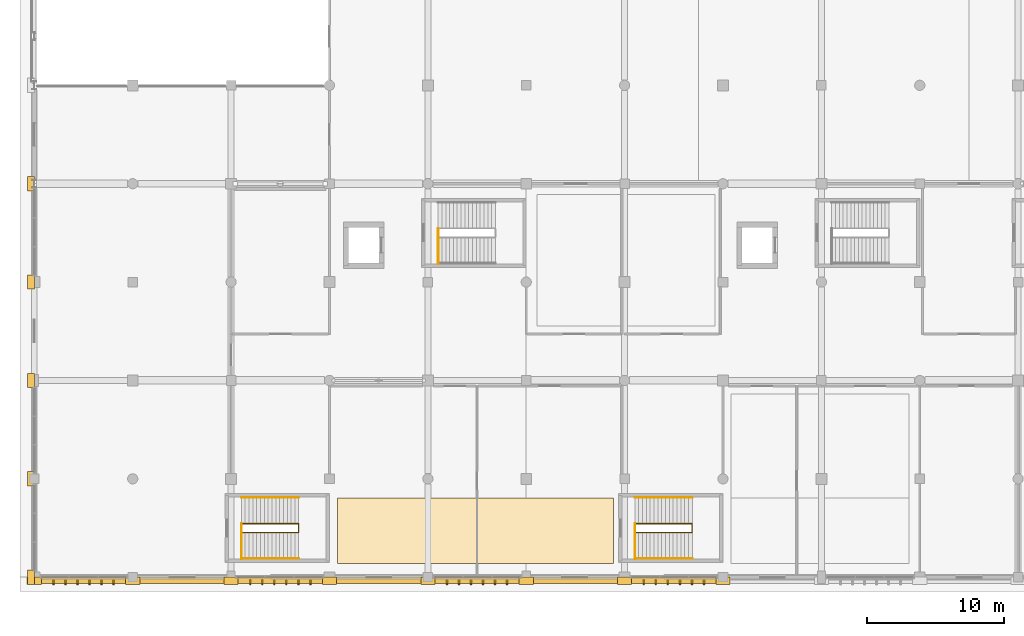
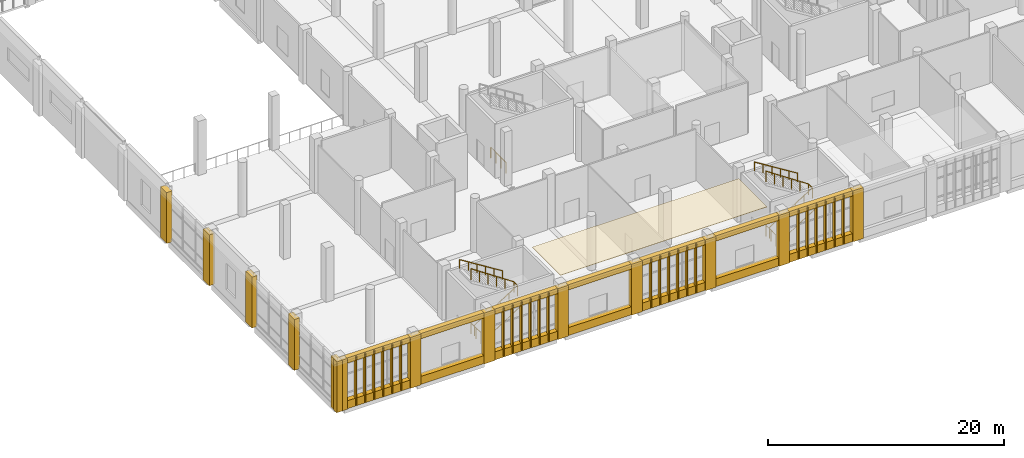
# One storey, part 64 of 80: 52 coverings, 9 railings.
"""IFC4 building model written with IfcOpenShell, lengths in metres."""

import ifcopenshell
import ifcopenshell.guid

model = None  # the IFC model being written
_history = None  # IfcOwnerHistory: only IFC2X3 demands one
_inside = {}  # id of a spatial element -> (the spatial element, [elements in it])
_under = {}  # id of a project, library or spatial element -> (it, [spatial elements below it])
_declared = {}  # id of a project -> (the project, [libraries it declares])
_typed = {}  # id of a type object -> (the type object, [elements of that type])
_made_of = {}  # id of a material, layer set ... -> (it, [elements and type objects made of it])


def new_model(schema):
    """Start an empty IFC model of exactly this schema.

    Asked for "IFC4X3", IfcOpenShell would pick the latest addendum, in which some entities
    have other attributes; the version numbers below select the first issue.
    IFC2X3 requires an IfcOwnerHistory on every rooted entity: one is made here for all.
    """
    global model, _history
    if schema == "IFC4X3":
        model = ifcopenshell.file(schema_version=(4, 3, 0, 0))
    else:
        model = ifcopenshell.file(schema=schema)
    _inside.clear()
    _under.clear()
    _declared.clear()
    _typed.clear()
    _made_of.clear()
    _history = None
    if model.schema == "IFC2X3":
        org = make("IfcOrganization", Name="unknown")
        user = make(
            "IfcPersonAndOrganization",
            ThePerson=make("IfcPerson", FamilyName="unknown"),
            TheOrganization=org,
        )
        app = make(
            "IfcApplication",
            ApplicationDeveloper=org,
            Version="unknown",
            ApplicationFullName="unknown",
            ApplicationIdentifier="unknown",
        )
        _history = make(
            "IfcOwnerHistory",
            OwningUser=user,
            OwningApplication=app,
            ChangeAction="ADDED",
            CreationDate=0,
        )
    return model


def make(cls, **values):
    """One entity of the class cls with the attributes given. An attribute that is None is left unset."""
    return model.create_entity(
        cls, **{name: value for name, value in values.items() if value is not None}
    )


def rooted(cls, **values):
    """An entity with a GlobalId (a new one), such as an element, a storey or a relation."""
    return make(cls, GlobalId=ifcopenshell.guid.new(), OwnerHistory=_history, **values)


def si_unit(unit_type, name, prefix=None):
    """IfcSIUnit, for example si_unit("LENGTHUNIT", "METRE", prefix="MILLI")."""
    return make("IfcSIUnit", UnitType=unit_type, Prefix=prefix, Name=name)


def assignment(units):
    """IfcUnitAssignment: the units of a project."""
    return None if units is None else make("IfcUnitAssignment", Units=units)


def point(xyz):
    """IfcCartesianPoint."""
    return None if xyz is None else make("IfcCartesianPoint", Coordinates=xyz)


def direction(xyz):
    """IfcDirection."""
    return None if xyz is None else make("IfcDirection", DirectionRatios=xyz)


def frame(location, z_axis=None, x_axis=None):
    """IfcAxis2Placement3D, a coordinate frame: its origin and axes. An axis left out is left unset."""
    return make(
        "IfcAxis2Placement3D",
        Location=point(location),
        Axis=direction(z_axis),
        RefDirection=direction(x_axis),
    )


def frame_2d(location, x_axis=None):
    """IfcAxis2Placement2D, a coordinate frame in the plane: its origin and x axis."""
    return make(
        "IfcAxis2Placement2D", Location=point(location), RefDirection=direction(x_axis)
    )


def origin():
    """The frame at (0, 0, 0) with its axes left unset."""
    return frame((0.0, 0.0, 0.0))


def origin_2d():
    """The frame at (0, 0) in the plane with its x axis left unset."""
    return frame_2d((0.0, 0.0))


def place(relative_to, where):
    """IfcLocalPlacement: puts the frame where relative to a parent placement (None: the world)."""
    return make(
        "IfcLocalPlacement", PlacementRelTo=relative_to, RelativePlacement=where
    )


def context(
    kind, dimensions, precision=None, world=None, true_north=None, identifier=None
):
    """IfcGeometricRepresentationContext, for example the 3D "Model" context."""
    return make(
        "IfcGeometricRepresentationContext",
        ContextIdentifier=identifier,
        ContextType=kind,
        CoordinateSpaceDimension=dimensions,
        Precision=precision,
        WorldCoordinateSystem=world,
        TrueNorth=true_north,
    )


def subcontext(parent, identifier, kind, view, scale=None):
    """IfcGeometricRepresentationSubContext, for example "Body" below "Model"."""
    return make(
        "IfcGeometricRepresentationSubContext",
        ContextIdentifier=identifier,
        ContextType=kind,
        ParentContext=parent,
        TargetScale=scale,
        TargetView=view,
    )


def project(units=None, contexts=None):
    """IfcProject with its units and contexts."""
    return rooted(
        "IfcProject",
        Name="project",
        RepresentationContexts=contexts,
        UnitsInContext=assignment(units),
    )


def spatial(cls, under=None, at=None, **own):
    """A site, building, storey or space (cls), placed at a placement, below another one or the project."""
    s = rooted(cls, ObjectPlacement=at, **own)
    if under is not None:
        _under.setdefault(under.id(), (under, []))[1].append(s)
    return s


def polyline(points):
    """IfcPolyline through the points."""
    return make("IfcPolyline", Points=[point(p) for p in points])


def profile(cls, at=None, kind="AREA", **sizes):
    """A parametric profile (cls). Its sizes go by their IFC names, for example OverallWidth=200.0."""
    return make(cls, ProfileType=kind, Position=at, **sizes)


def rectangle(**sizes):
    """IfcRectangleProfileDef."""
    return profile("IfcRectangleProfileDef", **sizes)


def circle(**sizes):
    """IfcCircleProfileDef."""
    return profile("IfcCircleProfileDef", **sizes)


def outline(outer, holes=None, kind="AREA"):
    """IfcArbitraryClosedProfileDef: a profile drawn as a closed curve; with holes, ...WithVoids."""
    if holes is None:
        return make("IfcArbitraryClosedProfileDef", ProfileType=kind, OuterCurve=outer)
    return make(
        "IfcArbitraryProfileDefWithVoids",
        ProfileType=kind,
        OuterCurve=outer,
        InnerCurves=holes,
    )


def extrude(swept, where, along, depth):
    """IfcExtrudedAreaSolid: the profile swept, set in the frame where, extruded along a direction by depth."""
    return make(
        "IfcExtrudedAreaSolid",
        SweptArea=swept,
        Position=where,
        ExtrudedDirection=direction(along),
        Depth=depth,
    )


def shape(context_of_items, identifier, shape_type, items):
    """IfcShapeRepresentation: the items that make up one representation, for example the "Body"."""
    return make(
        "IfcShapeRepresentation",
        ContextOfItems=context_of_items,
        RepresentationIdentifier=identifier,
        RepresentationType=shape_type,
        Items=items,
    )


def material(Name=None, Category=None):
    """IfcMaterial."""
    return make("IfcMaterial", Name=Name, Category=Category)


def layer(
    of_material, thickness, ventilated=None, Name=None, Category=None, Priority=None
):
    """IfcMaterialLayer: one layer of a wall or slab, of a material (None: an air gap)."""
    return make(
        "IfcMaterialLayer",
        Material=of_material,
        LayerThickness=thickness,
        IsVentilated=ventilated,
        Name=Name,
        Category=Category,
        Priority=Priority,
    )


def layer_set(layers, Name=None):
    """IfcMaterialLayerSet."""
    return make("IfcMaterialLayerSet", MaterialLayers=layers, LayerSetName=Name)


def made_of(thing, what):
    """Note that an element or type object is made of a material, layer set ...; save() writes the relation."""
    if what is not None:
        _made_of.setdefault(what.id(), (what, []))[1].append(thing)
    return thing


def type_object(cls, material=None, **own):
    """A type object (cls), such as IfcWallType, which elements share."""
    return made_of(rooted(cls, **own), material)


def element(
    cls,
    number,
    at=None,
    inside=None,
    cuts=None,
    type_object=None,
    material=None,
    context=None,
    identifier="Body",
    shape_type=None,
    held_by="IfcProductDefinitionShape",
    body=None,
    shapes=None,
    **own,
):
    """One element of the class cls, such as IfcWall. Its Tag is "e" and its number.

    at: its placement. inside: the storey or other place that contains it. cuts: it is an
    opening in that element (IfcRelVoidsElement). A single representation is given by context,
    identifier, shape_type and body (its items); several are given by shapes. held_by: the class
    of the entity that holds the representations. save() writes the other relations.
    """
    e = rooted(cls, Tag="e%d" % number, ObjectPlacement=at, **own)
    if body is not None:
        shapes = [shape(context, identifier, shape_type, body)]
    if shapes is not None:
        e.Representation = make(held_by, Representations=shapes)
    if inside is not None:
        _inside.setdefault(inside.id(), (inside, []))[1].append(e)
    if cuts is not None:
        rooted(
            "IfcRelVoidsElement", RelatingBuildingElement=cuts, RelatedOpeningElement=e
        )
    if type_object is not None:
        _typed.setdefault(type_object.id(), (type_object, []))[1].append(e)
    return made_of(e, material)


def aggregate(whole, parts):
    """IfcRelAggregates: a whole, such as a stair, and the parts it consists of."""
    return rooted("IfcRelAggregates", RelatingObject=whole, RelatedObjects=parts)


def save(model, path):
    """Write the relations noted so far, then the file.

    IfcRelAggregates (storeys below a building ...), IfcRelContainedInSpatialStructure (elements
    in a storey), IfcRelDefinesByType, IfcRelAssociatesMaterial and IfcRelDeclares: one each for
    every whole, place, type object, material and project.
    """
    for whole, parts in _under.values():
        aggregate(whole, parts)
    for where, things in _inside.values():
        rooted(
            "IfcRelContainedInSpatialStructure",
            RelatedElements=things,
            RelatingStructure=where,
        )
    for kind, things in _typed.values():
        rooted("IfcRelDefinesByType", RelatedObjects=things, RelatingType=kind)
    for what, things in _made_of.values():
        rooted("IfcRelAssociatesMaterial", RelatedObjects=things, RelatingMaterial=what)
    for by, libraries in _declared.values():
        rooted("IfcRelDeclares", RelatingContext=by, RelatedDefinitions=libraries)
    model.write(path)


model = new_model("IFC4")

# Units and contexts
model_context = context("Model", 3, precision=1e-05, world=origin(), true_north=direction((0.0, 1.0)))
body_context = subcontext(model_context, "Body", "Model", "MODEL_VIEW")
ifc_project = project(units=[si_unit("LENGTHUNIT", "METRE"), si_unit("AREAUNIT", "SQUARE_METRE"), si_unit("VOLUMEUNIT", "CUBIC_METRE"), si_unit("PLANEANGLEUNIT", "RADIAN"), si_unit("MASSUNIT", "GRAM", prefix="KILO")], contexts=[model_context])

# Site, building, storey
site_placement = place(None, origin())
site = spatial("IfcSite", under=ifc_project, at=site_placement, CompositionType="ELEMENT")
building_placement = place(site_placement, origin())
building = spatial("IfcBuilding", under=site, at=building_placement, Name="Sardonyx Promenade Sports Hall", CompositionType="ELEMENT")
storey_placement = place(building_placement, frame((0.0, 0.0, 5.60009765625)))
storey = spatial("IfcBuildingStorey", under=building, at=storey_placement, Name="L01", CompositionType="ELEMENT", Elevation=5.60009765625)

# Coverings
ifc_material_1 = material(Name="Perforated acoustic mineral-fibre baffle ceiling", Category="other")
ifc_layer_1 = layer(ifc_material_1, 0.0400390625)
ifc_layer_set_1 = layer_set([ifc_layer_1], Name="Cov_Ceil_Acoustic")
covering_type_1 = type_object("IfcCoveringType", Name="Cov_Ceil_Acoustic", PredefinedType="CEILING", material=ifc_layer_set_1)
covering_1_placement = place(storey_placement, frame((0.0, 0.0, 5.289794921875)))
element("IfcCovering", 1, at=covering_1_placement, inside=storey, type_object=covering_type_1, Name="Acoustic baffle ceiling CLG1 L01 #8", PredefinedType="CEILING", context=body_context, shape_type="SweptSolid", body=[
    extrude(outline(polyline([(22.199951171875, 5.800048828125), (22.199951171875, 1.0), (42.39990234375, 1.0), (42.39990234375, 5.800048828125), (22.199951171875, 5.800048828125)])), origin(), (0.0, 0.0, 1.0), 0.0400390625),
])
ifc_material_2 = material(Name="Dressed Cape red sandstone ashlar", Category="masonry")
ifc_layer_2 = layer(ifc_material_2, 0.06005859375)
ifc_layer_set_2 = layer_set([ifc_layer_2], Name="Cov_Cladding_Sandstone")
covering_type_2 = type_object("IfcCoveringType", Name="Cov_Cladding_Sandstone", PredefinedType="CLADDING", material=ifc_layer_set_2)
covering_2_placement = place(storey_placement, origin())
element("IfcCovering", 2, at=covering_2_placement, inside=storey, type_object=covering_type_2, Name="South sandstone bay pier casing L01 #0", PredefinedType="CLADDING", context=body_context, shape_type="SweptSolid", body=[
    extrude(outline(polyline([(-0.52001953125, -0.52001953125), (0.52001953125, -0.52001953125), (0.52001953125, 0.02001953125), (-0.52001953125, 0.02001953125), (-0.52001953125, -0.52001953125)])), origin(), (0.0, 0.0, 1.0), 5.25),
])
covering_3_placement = place(storey_placement, origin())
element("IfcCovering", 3, at=covering_3_placement, inside=storey, type_object=covering_type_2, Name="South sandstone bay pier casing L01 #1", PredefinedType="CLADDING", context=body_context, shape_type="SweptSolid", body=[
    extrude(outline(polyline([(6.679931640625, -0.52001953125), (7.719970703125, -0.52001953125), (7.719970703125, 0.02001953125), (6.679931640625, 0.02001953125), (6.679931640625, -0.52001953125)])), origin(), (0.0, 0.0, 1.0), 5.25),
])
covering_4_placement = place(storey_placement, origin())
element("IfcCovering", 4, at=covering_4_placement, inside=storey, type_object=covering_type_2, Name="South sandstone bay pier casing L01 #2", PredefinedType="CLADDING", context=body_context, shape_type="SweptSolid", body=[
    extrude(outline(polyline([(13.8798828125, -0.52001953125), (14.919921875, -0.52001953125), (14.919921875, 0.02001953125), (13.8798828125, 0.02001953125), (13.8798828125, -0.52001953125)])), origin(), (0.0, 0.0, 1.0), 5.25),
])
covering_5_placement = place(storey_placement, origin())
element("IfcCovering", 5, at=covering_5_placement, inside=storey, type_object=covering_type_2, Name="South sandstone bay pier casing L01 #3", PredefinedType="CLADDING", context=body_context, shape_type="SweptSolid", body=[
    extrude(outline(polyline([(21.080078125, -0.52001953125), (22.1201171875, -0.52001953125), (22.1201171875, 0.02001953125), (21.080078125, 0.02001953125), (21.080078125, -0.52001953125)])), origin(), (0.0, 0.0, 1.0), 5.25),
])
covering_6_placement = place(storey_placement, origin())
element("IfcCovering", 6, at=covering_6_placement, inside=storey, type_object=covering_type_2, Name="South sandstone bay pier casing L01 #4", PredefinedType="CLADDING", context=body_context, shape_type="SweptSolid", body=[
    extrude(outline(polyline([(28.280029296875, -0.52001953125), (29.320068359375, -0.52001953125), (29.320068359375, 0.02001953125), (28.280029296875, 0.02001953125), (28.280029296875, -0.52001953125)])), origin(), (0.0, 0.0, 1.0), 5.25),
])
covering_7_placement = place(storey_placement, origin())
element("IfcCovering", 7, at=covering_7_placement, inside=storey, type_object=covering_type_2, Name="South sandstone bay pier casing L01 #5", PredefinedType="CLADDING", context=body_context, shape_type="SweptSolid", body=[
    extrude(outline(polyline([(35.47998046875, -0.52001953125), (36.52001953125, -0.52001953125), (36.52001953125, 0.02001953125), (35.47998046875, 0.02001953125), (35.47998046875, -0.52001953125)])), origin(), (0.0, 0.0, 1.0), 5.25),
])
covering_8_placement = place(storey_placement, origin())
element("IfcCovering", 8, at=covering_8_placement, inside=storey, type_object=covering_type_2, Name="South sandstone bay pier casing L01 #6", PredefinedType="CLADDING", context=body_context, shape_type="SweptSolid", body=[
    extrude(outline(polyline([(42.679931640625, -0.52001953125), (43.719970703125, -0.52001953125), (43.719970703125, 0.02001953125), (42.679931640625, 0.02001953125), (42.679931640625, -0.52001953125)])), origin(), (0.0, 0.0, 1.0), 5.25),
])
covering_9_placement = place(storey_placement, origin())
element("IfcCovering", 9, at=covering_9_placement, inside=storey, type_object=covering_type_2, Name="South sandstone bay pier casing L01 #7", PredefinedType="CLADDING", context=body_context, shape_type="SweptSolid", body=[
    extrude(outline(polyline([(49.8798828125, -0.52001953125), (50.919921875, -0.52001953125), (50.919921875, 0.02001953125), (49.8798828125, 0.02001953125), (49.8798828125, -0.52001953125)])), origin(), (0.0, 0.0, 1.0), 5.25),
])
covering_10_placement = place(storey_placement, origin())
element("IfcCovering", 10, at=covering_10_placement, inside=storey, type_object=covering_type_2, Name="South sandstone sill spandrel L01 #16", PredefinedType="CLADDING", context=body_context, shape_type="SweptSolid", body=[
    extrude(outline(polyline([(43.719970703125, -0.4599609375), (49.8798828125, -0.4599609375), (49.8798828125, 0.02001953125), (43.719970703125, 0.02001953125), (43.719970703125, -0.4599609375)])), origin(), (0.0, 0.0, 1.0), 0.81982421875),
])
covering_11_placement = place(storey_placement, frame((0.0, 0.0, 4.699951171875)))
element("IfcCovering", 11, at=covering_11_placement, inside=storey, type_object=covering_type_2, Name="South sandstone lintel frieze L01 #16", PredefinedType="CLADDING", context=body_context, shape_type="SweptSolid", body=[
    extrude(outline(polyline([(43.719970703125, -0.4599609375), (49.8798828125, -0.4599609375), (49.8798828125, 0.02001953125), (43.719970703125, 0.02001953125), (43.719970703125, -0.4599609375)])), origin(), (0.0, 0.0, 1.0), 0.550048828125),
])
covering_12_placement = place(storey_placement, origin())
element("IfcCovering", 12, at=covering_12_placement, inside=storey, type_object=covering_type_2, Name="South sandstone sill spandrel L01 #17", PredefinedType="CLADDING", context=body_context, shape_type="SweptSolid", body=[
    extrude(outline(polyline([(36.52001953125, -0.4599609375), (42.679931640625, -0.4599609375), (42.679931640625, 0.02001953125), (36.52001953125, 0.02001953125), (36.52001953125, -0.4599609375)])), origin(), (0.0, 0.0, 1.0), 0.81982421875),
])
covering_13_placement = place(storey_placement, frame((0.0, 0.0, 4.699951171875)))
element("IfcCovering", 13, at=covering_13_placement, inside=storey, type_object=covering_type_2, Name="South sandstone lintel frieze L01 #17", PredefinedType="CLADDING", context=body_context, shape_type="SweptSolid", body=[
    extrude(outline(polyline([(36.52001953125, -0.4599609375), (42.679931640625, -0.4599609375), (42.679931640625, 0.02001953125), (36.52001953125, 0.02001953125), (36.52001953125, -0.4599609375)])), origin(), (0.0, 0.0, 1.0), 0.550048828125),
])
covering_14_placement = place(storey_placement, origin())
element("IfcCovering", 14, at=covering_14_placement, inside=storey, type_object=covering_type_2, Name="South sandstone sill spandrel L01 #18", PredefinedType="CLADDING", context=body_context, shape_type="SweptSolid", body=[
    extrude(outline(polyline([(29.320068359375, -0.4599609375), (35.47998046875, -0.4599609375), (35.47998046875, 0.02001953125), (29.320068359375, 0.02001953125), (29.320068359375, -0.4599609375)])), origin(), (0.0, 0.0, 1.0), 0.81982421875),
])
covering_15_placement = place(storey_placement, frame((0.0, 0.0, 4.699951171875)))
element("IfcCovering", 15, at=covering_15_placement, inside=storey, type_object=covering_type_2, Name="South sandstone lintel frieze L01 #18", PredefinedType="CLADDING", context=body_context, shape_type="SweptSolid", body=[
    extrude(outline(polyline([(29.320068359375, -0.4599609375), (35.47998046875, -0.4599609375), (35.47998046875, 0.02001953125), (29.320068359375, 0.02001953125), (29.320068359375, -0.4599609375)])), origin(), (0.0, 0.0, 1.0), 0.550048828125),
])
covering_16_placement = place(storey_placement, origin())
element("IfcCovering", 16, at=covering_16_placement, inside=storey, type_object=covering_type_2, Name="South sandstone sill spandrel L01 #19", PredefinedType="CLADDING", context=body_context, shape_type="SweptSolid", body=[
    extrude(outline(polyline([(22.1201171875, -0.4599609375), (28.280029296875, -0.4599609375), (28.280029296875, 0.02001953125), (22.1201171875, 0.02001953125), (22.1201171875, -0.4599609375)])), origin(), (0.0, 0.0, 1.0), 0.81982421875),
])
covering_17_placement = place(storey_placement, frame((0.0, 0.0, 4.699951171875)))
element("IfcCovering", 17, at=covering_17_placement, inside=storey, type_object=covering_type_2, Name="South sandstone lintel frieze L01 #19", PredefinedType="CLADDING", context=body_context, shape_type="SweptSolid", body=[
    extrude(outline(polyline([(22.1201171875, -0.4599609375), (28.280029296875, -0.4599609375), (28.280029296875, 0.02001953125), (22.1201171875, 0.02001953125), (22.1201171875, -0.4599609375)])), origin(), (0.0, 0.0, 1.0), 0.550048828125),
])
covering_18_placement = place(storey_placement, origin())
element("IfcCovering", 18, at=covering_18_placement, inside=storey, type_object=covering_type_2, Name="South sandstone sill spandrel L01 #20", PredefinedType="CLADDING", context=body_context, shape_type="SweptSolid", body=[
    extrude(outline(polyline([(14.919921875, -0.4599609375), (21.080078125, -0.4599609375), (21.080078125, 0.02001953125), (14.919921875, 0.02001953125), (14.919921875, -0.4599609375)])), origin(), (0.0, 0.0, 1.0), 0.81982421875),
])
covering_19_placement = place(storey_placement, frame((0.0, 0.0, 4.699951171875)))
element("IfcCovering", 19, at=covering_19_placement, inside=storey, type_object=covering_type_2, Name="South sandstone lintel frieze L01 #20", PredefinedType="CLADDING", context=body_context, shape_type="SweptSolid", body=[
    extrude(outline(polyline([(14.919921875, -0.4599609375), (21.080078125, -0.4599609375), (21.080078125, 0.02001953125), (14.919921875, 0.02001953125), (14.919921875, -0.4599609375)])), origin(), (0.0, 0.0, 1.0), 0.550048828125),
])
covering_20_placement = place(storey_placement, origin())
element("IfcCovering", 20, at=covering_20_placement, inside=storey, type_object=covering_type_2, Name="South sandstone sill spandrel L01 #21", PredefinedType="CLADDING", context=body_context, shape_type="SweptSolid", body=[
    extrude(outline(polyline([(7.719970703125, -0.4599609375), (13.8798828125, -0.4599609375), (13.8798828125, 0.02001953125), (7.719970703125, 0.02001953125), (7.719970703125, -0.4599609375)])), origin(), (0.0, 0.0, 1.0), 0.81982421875),
])
covering_21_placement = place(storey_placement, frame((0.0, 0.0, 4.699951171875)))
element("IfcCovering", 21, at=covering_21_placement, inside=storey, type_object=covering_type_2, Name="South sandstone lintel frieze L01 #21", PredefinedType="CLADDING", context=body_context, shape_type="SweptSolid", body=[
    extrude(outline(polyline([(7.719970703125, -0.4599609375), (13.8798828125, -0.4599609375), (13.8798828125, 0.02001953125), (7.719970703125, 0.02001953125), (7.719970703125, -0.4599609375)])), origin(), (0.0, 0.0, 1.0), 0.550048828125),
])
covering_22_placement = place(storey_placement, origin())
element("IfcCovering", 22, at=covering_22_placement, inside=storey, type_object=covering_type_2, Name="South sandstone sill spandrel L01 #22", PredefinedType="CLADDING", context=body_context, shape_type="SweptSolid", body=[
    extrude(outline(polyline([(0.52001953125, -0.4599609375), (6.679931640625, -0.4599609375), (6.679931640625, 0.02001953125), (0.52001953125, 0.02001953125), (0.52001953125, -0.4599609375)])), origin(), (0.0, 0.0, 1.0), 0.81982421875),
])
covering_23_placement = place(storey_placement, frame((0.0, 0.0, 4.699951171875)))
element("IfcCovering", 23, at=covering_23_placement, inside=storey, type_object=covering_type_2, Name="South sandstone lintel frieze L01 #22", PredefinedType="CLADDING", context=body_context, shape_type="SweptSolid", body=[
    extrude(outline(polyline([(0.52001953125, -0.4599609375), (6.679931640625, -0.4599609375), (6.679931640625, 0.02001953125), (0.52001953125, 0.02001953125), (0.52001953125, -0.4599609375)])), origin(), (0.0, 0.0, 1.0), 0.550048828125),
])
covering_24_placement = place(storey_placement, origin())
element("IfcCovering", 24, at=covering_24_placement, inside=storey, type_object=covering_type_2, Name="West sandstone pier casing L01 #0", PredefinedType="CLADDING", context=body_context, shape_type="SweptSolid", body=[
    extrude(outline(polyline([(-0.5, -0.52001953125), (0.02001953125, -0.52001953125), (0.02001953125, 0.52001953125), (-0.5, 0.52001953125), (-0.5, -0.52001953125)])), origin(), (0.0, 0.0, 1.0), 5.25),
])
covering_25_placement = place(storey_placement, origin())
element("IfcCovering", 25, at=covering_25_placement, inside=storey, type_object=covering_type_2, Name="West sandstone pier casing L01 #1", PredefinedType="CLADDING", context=body_context, shape_type="SweptSolid", body=[
    extrude(outline(polyline([(-0.5, 6.679931640625), (0.02001953125, 6.679931640625), (0.02001953125, 7.719970703125), (-0.5, 7.719970703125), (-0.5, 6.679931640625)])), origin(), (0.0, 0.0, 1.0), 5.25),
])
covering_26_placement = place(storey_placement, origin())
element("IfcCovering", 26, at=covering_26_placement, inside=storey, type_object=covering_type_2, Name="West sandstone pier casing L01 #2", PredefinedType="CLADDING", context=body_context, shape_type="SweptSolid", body=[
    extrude(outline(polyline([(-0.5, 13.8798828125), (0.02001953125, 13.8798828125), (0.02001953125, 14.919921875), (-0.5, 14.919921875), (-0.5, 13.8798828125)])), origin(), (0.0, 0.0, 1.0), 5.25),
])
covering_27_placement = place(storey_placement, origin())
element("IfcCovering", 27, at=covering_27_placement, inside=storey, type_object=covering_type_2, Name="West sandstone pier casing L01 #3", PredefinedType="CLADDING", context=body_context, shape_type="SweptSolid", body=[
    extrude(outline(polyline([(-0.5, 21.080078125), (0.02001953125, 21.080078125), (0.02001953125, 22.1201171875), (-0.5, 22.1201171875), (-0.5, 21.080078125)])), origin(), (0.0, 0.0, 1.0), 5.25),
])
covering_28_placement = place(storey_placement, origin())
element("IfcCovering", 28, at=covering_28_placement, inside=storey, type_object=covering_type_2, Name="West sandstone pier casing L01 #4", PredefinedType="CLADDING", context=body_context, shape_type="SweptSolid", body=[
    extrude(outline(polyline([(-0.5, 28.280029296875), (0.02001953125, 28.280029296875), (0.02001953125, 29.320068359375), (-0.5, 29.320068359375), (-0.5, 28.280029296875)])), origin(), (0.0, 0.0, 1.0), 5.25),
])
ifc_material_3 = material(Name="Glulam GL28h", Category="wood")
ifc_layer_3 = layer(ifc_material_3, 0.110107421875)
ifc_layer_set_3 = layer_set([ifc_layer_3], Name="Cov_Louvre_GL28h")
covering_type_3 = type_object("IfcCoveringType", Name="Cov_Louvre_GL28h", PredefinedType="MOLDING", material=ifc_layer_set_3)
for number, where, z_axis, x_axis, name in (
    (29, (44.60009765625, -0.3798828125, 0.10009765625), (0.0, 0.0, 1.0), (1.0, 0.0, 0.0), "Mughal jali screen mullion L01 #16-1"),
    (30, (45.47998046875, -0.3798828125, 0.10009765625), (0.0, 0.0, 1.0), (1.0, 0.0, 0.0), "Mughal jali screen mullion L01 #16-2"),
    (31, (46.360107421875, -0.3798828125, 0.10009765625), (0.0, 0.0, 1.0), (1.0, 0.0, 0.0), "Mughal jali screen mullion L01 #16-3"),
    (32, (47.239990234375, -0.3798828125, 0.10009765625), (0.0, 0.0, 1.0), (1.0, 0.0, 0.0), "Mughal jali screen mullion L01 #16-4"),
    (33, (48.1201171875, -0.3798828125, 0.10009765625), (0.0, 0.0, 1.0), (1.0, 0.0, 0.0), "Mughal jali screen mullion L01 #16-5"),
    (34, (49.0, -0.3798828125, 0.10009765625), (0.0, 0.0, 1.0), (1.0, 0.0, 0.0), "Mughal jali screen mullion L01 #16-6"),
    (35, (30.199951171875, -0.3798828125, 0.10009765625), (0.0, 0.0, 1.0), (1.0, 0.0, 0.0), "Mughal jali screen mullion L01 #18-1"),
    (36, (31.080078125, -0.3798828125, 0.10009765625), (0.0, 0.0, 1.0), (1.0, 0.0, 0.0), "Mughal jali screen mullion L01 #18-2"),
    (37, (31.9599609375, -0.3798828125, 0.10009765625), (0.0, 0.0, 1.0), (1.0, 0.0, 0.0), "Mughal jali screen mullion L01 #18-3"),
    (38, (32.840087890625, -0.3798828125, 0.10009765625), (0.0, 0.0, 1.0), (1.0, 0.0, 0.0), "Mughal jali screen mullion L01 #18-4"),
    (39, (33.719970703125, -0.3798828125, 0.10009765625), (0.0, 0.0, 1.0), (1.0, 0.0, 0.0), "Mughal jali screen mullion L01 #18-5"),
    (40, (34.60009765625, -0.3798828125, 0.10009765625), (0.0, 0.0, 1.0), (1.0, 0.0, 0.0), "Mughal jali screen mullion L01 #18-6"),
    (41, (15.800048828125, -0.3798828125, 0.10009765625), (0.0, 0.0, 1.0), (1.0, 0.0, 0.0), "Mughal jali screen mullion L01 #20-1"),
    (42, (16.679931640625, -0.3798828125, 0.10009765625), (0.0, 0.0, 1.0), (1.0, 0.0, 0.0), "Mughal jali screen mullion L01 #20-2"),
    (43, (17.56005859375, -0.3798828125, 0.10009765625), (0.0, 0.0, 1.0), (1.0, 0.0, 0.0), "Mughal jali screen mullion L01 #20-3"),
    (44, (18.43994140625, -0.3798828125, 0.10009765625), (0.0, 0.0, 1.0), (1.0, 0.0, 0.0), "Mughal jali screen mullion L01 #20-4"),
    (45, (19.320068359375, -0.3798828125, 0.10009765625), (0.0, 0.0, 1.0), (1.0, 0.0, 0.0), "Mughal jali screen mullion L01 #20-5"),
    (46, (20.199951171875, -0.3798828125, 0.10009765625), (0.0, 0.0, 1.0), (1.0, 0.0, 0.0), "Mughal jali screen mullion L01 #20-6"),
    (47, (1.39990234375, -0.3798828125, 0.10009765625), (0.0, 0.0, 1.0), (1.0, 0.0, 0.0), "Mughal jali screen mullion L01 #22-1"),
    (48, (2.280029296875, -0.3798828125, 0.10009765625), (0.0, 0.0, 1.0), (1.0, 0.0, 0.0), "Mughal jali screen mullion L01 #22-2"),
    (49, (3.159912109375, -0.3798828125, 0.10009765625), (0.0, 0.0, 1.0), (1.0, 0.0, 0.0), "Mughal jali screen mullion L01 #22-3"),
    (50, (4.0400390625, -0.3798828125, 0.10009765625), (0.0, 0.0, 1.0), (1.0, 0.0, 0.0), "Mughal jali screen mullion L01 #22-4"),
    (51, (4.919921875, -0.3798828125, 0.10009765625), (0.0, 0.0, 1.0), (1.0, 0.0, 0.0), "Mughal jali screen mullion L01 #22-5"),
    (52, (5.800048828125, -0.3798828125, 0.10009765625), (0.0, 0.0, 1.0), (1.0, 0.0, 0.0), "Mughal jali screen mullion L01 #22-6"),
):
    element("IfcCovering", number, at=place(storey_placement, frame(where, z_axis=z_axis, x_axis=x_axis)), inside=storey, type_object=covering_type_3, Name=name, PredefinedType="MOLDING", context=body_context, shape_type="SweptSolid", body=[
        extrude(rectangle(XDim=0.10009765625, YDim=0.360107421875, at=origin_2d()), origin(), (0.0, 0.0, 1.0), 5.050048828125),
    ])

# Railings
ifc_material_4 = material(Name="Powder-coated Steel S355JR", Category="steel")
railing_type_1 = type_object("IfcRailingType", Name="Rail_Int_Guard_1100", PredefinedType="GUARDRAIL", material=ifc_material_4)
railing_1_placement = place(storey_placement, frame((29.56005859375, 22.945068359375, 0.0)))
element("IfcRailing", 53, at=railing_1_placement, inside=storey, type_object=railing_type_1, Name="Stair floor-edge guard ST1 L01", PredefinedType="GUARDRAIL", context=body_context, shape_type="SweptSolid", body=[
    extrude(circle(Radius=0.02392578125, at=origin_2d()), frame((0.0, 0.0, 1.09619140625), z_axis=(0.0, 1.0, 0.0), x_axis=(-1.0, 0.0, 0.0)), (0.0, 0.0, 1.0), 2.56982421875),
    extrude(circle(Radius=0.02392578125, at=origin_2d()), frame((0.0, 2.56982421875, 1.09619140625), z_axis=(-1.0, 0.0, 0.0), x_axis=(0.0, -1.0, 0.0)), (0.0, 0.0, 1.0), 0.010009765625),
    extrude(circle(Radius=0.02099609375, at=origin_2d()), origin(), (0.0, 0.0, 1.0), 1.072021484375),
    extrude(circle(Radius=0.02099609375, at=origin_2d()), frame((0.0, 0.856689453125, 0.0)), (0.0, 0.0, 1.0), 1.072021484375),
    extrude(circle(Radius=0.02099609375, at=origin_2d()), frame((0.0, 1.713134765625, 0.0)), (0.0, 0.0, 1.0), 1.072021484375),
    extrude(circle(Radius=0.02099609375, at=origin_2d()), frame((0.0, 2.56982421875, 0.0)), (0.0, 0.0, 1.0), 1.072021484375),
    extrude(circle(Radius=0.02099609375, at=origin_2d()), frame((-0.010009765625, 2.56982421875, 0.0)), (0.0, 0.0, 1.0), 1.072021484375),
])
railing_2_placement = place(storey_placement, frame((15.159912109375, 1.344970703125, 0.0)))
element("IfcRailing", 54, at=railing_2_placement, inside=storey, type_object=railing_type_1, Name="Stair floor-edge guard ST5 L01", PredefinedType="GUARDRAIL", context=body_context, shape_type="SweptSolid", body=[
    extrude(circle(Radius=0.02392578125, at=origin_2d()), frame((0.0, 0.0, 1.09619140625), z_axis=(0.0, 1.0, 0.0), x_axis=(-1.0, 0.0, 0.0)), (0.0, 0.0, 1.0), 2.570068359375),
    extrude(circle(Radius=0.02392578125, at=origin_2d()), frame((0.0, 2.570068359375, 1.09619140625), z_axis=(-1.0, 0.0, 0.0), x_axis=(0.0, -1.0, 0.0)), (0.0, 0.0, 1.0), 0.010009765625),
    extrude(circle(Radius=0.02099609375, at=origin_2d()), origin(), (0.0, 0.0, 1.0), 1.072021484375),
    extrude(circle(Radius=0.02099609375, at=origin_2d()), frame((0.0, 0.856689453125, 0.0)), (0.0, 0.0, 1.0), 1.072021484375),
    extrude(circle(Radius=0.02099609375, at=origin_2d()), frame((0.0, 1.71337890625, 0.0)), (0.0, 0.0, 1.0), 1.072021484375),
    extrude(circle(Radius=0.02099609375, at=origin_2d()), frame((0.0, 2.570068359375, 0.0)), (0.0, 0.0, 1.0), 1.072021484375),
    extrude(circle(Radius=0.02099609375, at=origin_2d()), frame((-0.010009765625, 2.570068359375, 0.0)), (0.0, 0.0, 1.0), 1.072021484375),
])
railing_3_placement = place(storey_placement, frame((15.14990234375, 3.284912109375, 0.1748046875)))
element("IfcRailing", 55, at=railing_3_placement, inside=storey, type_object=railing_type_1, Name="Stair inner well guard ST5 L01", PredefinedType="GUARDRAIL", context=body_context, shape_type="SweptSolid", body=[
    extrude(circle(Radius=0.02392578125, at=origin_2d()), frame((0.0, 0.0, 1.09619140625), z_axis=(0.846868231521, 0.0, 0.531802781528), x_axis=(0.0, 1.0, 0.0)), (0.0, 0.0, 1.0), 4.93603515625),
    extrude(circle(Radius=0.02392578125, at=origin_2d()), frame((4.18017578125, 0.0, 3.72119140625), z_axis=(0.0, 1.0, 0.0), x_axis=(-1.0, 0.0, 0.0)), (0.0, 0.0, 1.0), 0.630126953125),
    extrude(circle(Radius=0.02392578125, at=origin_2d()), frame((4.18017578125, 0.630126953125, 3.72119140625), z_axis=(-0.830831454536, 0.0, 0.556524118214), x_axis=(0.0, -1.0, 0.0)), (0.0, 0.0, 1.0), 5.03125),
    extrude(circle(Radius=0.02099609375, at=origin_2d()), origin(), (0.0, 0.0, 1.0), 1.072021484375),
    extrude(circle(Radius=0.02099609375, at=origin_2d()), frame((0.8359375, 0.0, 0.52490234375)), (0.0, 0.0, 1.0), 1.072021484375),
    extrude(circle(Radius=0.02099609375, at=origin_2d()), frame((1.672119140625, 0.0, 1.050048828125)), (0.0, 0.0, 1.0), 1.072021484375),
    extrude(circle(Radius=0.02099609375, at=origin_2d()), frame((2.508056640625, 0.0, 1.574951171875)), (0.0, 0.0, 1.0), 1.072021484375),
    extrude(circle(Radius=0.02099609375, at=origin_2d()), frame((3.34423828125, 0.0, 2.10009765625)), (0.0, 0.0, 1.0), 1.072021484375),
    extrude(circle(Radius=0.02099609375, at=origin_2d()), frame((4.18017578125, 0.0, 2.625)), (0.0, 0.0, 1.0), 1.072021484375),
    extrude(circle(Radius=0.02099609375, at=origin_2d()), frame((4.18017578125, 0.630126953125, 2.625)), (0.0, 0.0, 1.0), 1.072021484375),
    extrude(circle(Radius=0.02099609375, at=origin_2d()), frame((3.34423828125, 0.630126953125, 3.18505859375)), (0.0, 0.0, 1.0), 1.072021484375),
    extrude(circle(Radius=0.02099609375, at=origin_2d()), frame((2.508056640625, 0.630126953125, 3.7451171875)), (0.0, 0.0, 1.0), 1.072021484375),
    extrude(circle(Radius=0.02099609375, at=origin_2d()), frame((1.672119140625, 0.630126953125, 4.304931640625)), (0.0, 0.0, 1.0), 1.072021484375),
    extrude(circle(Radius=0.02099609375, at=origin_2d()), frame((0.8359375, 0.630126953125, 4.864990234375)), (0.0, 0.0, 1.0), 1.072021484375),
    extrude(circle(Radius=0.02099609375, at=origin_2d()), frame((0.0, 0.630126953125, 5.425048828125)), (0.0, 0.0, 1.0), 1.072021484375),
])
railing_4_placement = place(storey_placement, frame((43.9599609375, 1.344970703125, 0.0)))
element("IfcRailing", 56, at=railing_4_placement, inside=storey, type_object=railing_type_1, Name="Stair floor-edge guard ST6 L01", PredefinedType="GUARDRAIL", context=body_context, shape_type="SweptSolid", body=[
    extrude(circle(Radius=0.02392578125, at=origin_2d()), frame((0.0, 0.0, 1.09619140625), z_axis=(0.0, 1.0, 0.0), x_axis=(-1.0, 0.0, 0.0)), (0.0, 0.0, 1.0), 2.570068359375),
    extrude(circle(Radius=0.02392578125, at=origin_2d()), frame((0.0, 2.570068359375, 1.09619140625), z_axis=(-1.0, 0.0, 0.0), x_axis=(0.0, -1.0, 0.0)), (0.0, 0.0, 1.0), 0.010009765625),
    extrude(circle(Radius=0.02099609375, at=origin_2d()), origin(), (0.0, 0.0, 1.0), 1.072021484375),
    extrude(circle(Radius=0.02099609375, at=origin_2d()), frame((0.0, 0.856689453125, 0.0)), (0.0, 0.0, 1.0), 1.072021484375),
    extrude(circle(Radius=0.02099609375, at=origin_2d()), frame((0.0, 1.71337890625, 0.0)), (0.0, 0.0, 1.0), 1.072021484375),
    extrude(circle(Radius=0.02099609375, at=origin_2d()), frame((0.0, 2.570068359375, 0.0)), (0.0, 0.0, 1.0), 1.072021484375),
    extrude(circle(Radius=0.02099609375, at=origin_2d()), frame((-0.010009765625, 2.570068359375, 0.0)), (0.0, 0.0, 1.0), 1.072021484375),
])
railing_5_placement = place(storey_placement, frame((43.949951171875, 3.284912109375, 0.1748046875)))
element("IfcRailing", 57, at=railing_5_placement, inside=storey, type_object=railing_type_1, Name="Stair inner well guard ST6 L01", PredefinedType="GUARDRAIL", context=body_context, shape_type="SweptSolid", body=[
    extrude(circle(Radius=0.02392578125, at=origin_2d()), frame((0.0, 0.0, 1.09619140625), z_axis=(0.846854242419, 0.0, 0.531825057794), x_axis=(0.0, 1.0, 0.0)), (0.0, 0.0, 1.0), 4.935791015625),
    extrude(circle(Radius=0.02392578125, at=origin_2d()), frame((4.179931640625, 0.0, 3.72119140625), z_axis=(0.0, 1.0, 0.0), x_axis=(-1.0, 0.0, 0.0)), (0.0, 0.0, 1.0), 0.630126953125),
    extrude(circle(Radius=0.02392578125, at=origin_2d()), frame((4.179931640625, 0.630126953125, 3.72119140625), z_axis=(-0.830816424754, 0.0, 0.556546555429), x_axis=(0.0, -1.0, 0.0)), (0.0, 0.0, 1.0), 5.031005859375),
    extrude(circle(Radius=0.02099609375, at=origin_2d()), origin(), (0.0, 0.0, 1.0), 1.072021484375),
    extrude(circle(Radius=0.02099609375, at=origin_2d()), frame((0.8359375, 0.0, 0.52490234375)), (0.0, 0.0, 1.0), 1.072021484375),
    extrude(circle(Radius=0.02099609375, at=origin_2d()), frame((1.671875, 0.0, 1.050048828125)), (0.0, 0.0, 1.0), 1.072021484375),
    extrude(circle(Radius=0.02099609375, at=origin_2d()), frame((2.508056640625, 0.0, 1.574951171875)), (0.0, 0.0, 1.0), 1.072021484375),
    extrude(circle(Radius=0.02099609375, at=origin_2d()), frame((3.343994140625, 0.0, 2.10009765625)), (0.0, 0.0, 1.0), 1.072021484375),
    extrude(circle(Radius=0.02099609375, at=origin_2d()), frame((4.179931640625, 0.0, 2.625)), (0.0, 0.0, 1.0), 1.072021484375),
    extrude(circle(Radius=0.02099609375, at=origin_2d()), frame((4.179931640625, 0.630126953125, 2.625)), (0.0, 0.0, 1.0), 1.072021484375),
    extrude(circle(Radius=0.02099609375, at=origin_2d()), frame((3.343994140625, 0.630126953125, 3.18505859375)), (0.0, 0.0, 1.0), 1.072021484375),
    extrude(circle(Radius=0.02099609375, at=origin_2d()), frame((2.508056640625, 0.630126953125, 3.7451171875)), (0.0, 0.0, 1.0), 1.072021484375),
    extrude(circle(Radius=0.02099609375, at=origin_2d()), frame((1.671875, 0.630126953125, 4.304931640625)), (0.0, 0.0, 1.0), 1.072021484375),
    extrude(circle(Radius=0.02099609375, at=origin_2d()), frame((0.8359375, 0.630126953125, 4.864990234375)), (0.0, 0.0, 1.0), 1.072021484375),
    extrude(circle(Radius=0.02099609375, at=origin_2d()), frame((0.0, 0.630126953125, 5.425048828125)), (0.0, 0.0, 1.0), 1.072021484375),
])
ifc_material_5 = material(Name="Brushed stainless steel Grade 304", Category="steel")
railing_type_2 = type_object("IfcRailingType", Name="Rail_Int_Handrail_900", PredefinedType="HANDRAIL", material=ifc_material_5)
railing_6_placement = place(storey_placement, frame((15.14990234375, 1.375, 0.1748046875)))
element("IfcRailing", 58, at=railing_6_placement, inside=storey, type_object=railing_type_2, Name="Stair handrail ST5 L01 F1", PredefinedType="HANDRAIL", context=body_context, shape_type="SweptSolid", body=[
    extrude(circle(Radius=0.02392578125, at=origin_2d()), frame((0.0, 0.0, 0.8759765625), z_axis=(0.848009380541, 0.0, 0.529981217134), x_axis=(0.0, 1.0, 0.0)), (0.0, 0.0, 1.0), 4.953125),
    extrude(circle(Radius=0.02099609375, at=origin_2d()), origin(), (0.0, 0.0, 1.0), 0.851806640625),
    extrude(circle(Radius=0.02099609375, at=origin_2d()), frame((0.840087890625, 0.0, 0.52490234375)), (0.0, 0.0, 1.0), 0.851806640625),
    extrude(circle(Radius=0.02099609375, at=origin_2d()), frame((1.68017578125, 0.0, 1.050048828125)), (0.0, 0.0, 1.0), 0.851806640625),
    extrude(circle(Radius=0.02099609375, at=origin_2d()), frame((2.52001953125, 0.0, 1.574951171875)), (0.0, 0.0, 1.0), 0.851806640625),
    extrude(circle(Radius=0.02099609375, at=origin_2d()), frame((3.360107421875, 0.0, 2.10009765625)), (0.0, 0.0, 1.0), 0.851806640625),
    extrude(circle(Radius=0.02099609375, at=origin_2d()), frame((4.2001953125, 0.0, 2.625)), (0.0, 0.0, 1.0), 0.851806640625),
])
railing_7_placement = place(storey_placement, frame((19.35009765625, 5.824951171875, 2.974853515625)))
element("IfcRailing", 59, at=railing_7_placement, inside=storey, type_object=railing_type_2, Name="Stair handrail ST5 L01 F2", PredefinedType="HANDRAIL", context=body_context, shape_type="SweptSolid", body=[
    extrude(circle(Radius=0.02392578125, at=origin_2d()), frame((0.0, 0.0, 0.8759765625), z_axis=(-0.848009380541, 0.0, 0.529981217134), x_axis=(0.0, -1.0, 0.0)), (0.0, 0.0, 1.0), 4.953125),
    extrude(circle(Radius=0.02099609375, at=origin_2d()), origin(), (0.0, 0.0, 1.0), 0.851806640625),
    extrude(circle(Radius=0.02099609375, at=origin_2d()), frame((-0.840087890625, 0.0, 0.52490234375)), (0.0, 0.0, 1.0), 0.851806640625),
    extrude(circle(Radius=0.02099609375, at=origin_2d()), frame((-1.68017578125, 0.0, 1.050048828125)), (0.0, 0.0, 1.0), 0.851806640625),
    extrude(circle(Radius=0.02099609375, at=origin_2d()), frame((-2.52001953125, 0.0, 1.574951171875)), (0.0, 0.0, 1.0), 0.851806640625),
    extrude(circle(Radius=0.02099609375, at=origin_2d()), frame((-3.360107421875, 0.0, 2.10009765625)), (0.0, 0.0, 1.0), 0.851806640625),
    extrude(circle(Radius=0.02099609375, at=origin_2d()), frame((-4.2001953125, 0.0, 2.625)), (0.0, 0.0, 1.0), 0.851806640625),
])
railing_8_placement = place(storey_placement, frame((43.949951171875, 1.375, 0.1748046875)))
element("IfcRailing", 60, at=railing_8_placement, inside=storey, type_object=railing_type_2, Name="Stair handrail ST6 L01 F1", PredefinedType="HANDRAIL", context=body_context, shape_type="SweptSolid", body=[
    extrude(circle(Radius=0.02392578125, at=origin_2d()), frame((0.0, 0.0, 0.8759765625), z_axis=(0.847995534698, 0.0, 0.530003370869), x_axis=(0.0, 1.0, 0.0)), (0.0, 0.0, 1.0), 4.952880859375),
    extrude(circle(Radius=0.02099609375, at=origin_2d()), origin(), (0.0, 0.0, 1.0), 0.851806640625),
    extrude(circle(Radius=0.02099609375, at=origin_2d()), frame((0.840087890625, 0.0, 0.52490234375)), (0.0, 0.0, 1.0), 0.851806640625),
    extrude(circle(Radius=0.02099609375, at=origin_2d()), frame((1.679931640625, 0.0, 1.050048828125)), (0.0, 0.0, 1.0), 0.851806640625),
    extrude(circle(Radius=0.02099609375, at=origin_2d()), frame((2.52001953125, 0.0, 1.574951171875)), (0.0, 0.0, 1.0), 0.851806640625),
    extrude(circle(Radius=0.02099609375, at=origin_2d()), frame((3.35986328125, 0.0, 2.10009765625)), (0.0, 0.0, 1.0), 0.851806640625),
    extrude(circle(Radius=0.02099609375, at=origin_2d()), frame((4.199951171875, 0.0, 2.625)), (0.0, 0.0, 1.0), 0.851806640625),
])
railing_9_placement = place(storey_placement, frame((48.14990234375, 5.824951171875, 2.974853515625)))
element("IfcRailing", 61, at=railing_9_placement, inside=storey, type_object=railing_type_2, Name="Stair handrail ST6 L01 F2", PredefinedType="HANDRAIL", context=body_context, shape_type="SweptSolid", body=[
    extrude(circle(Radius=0.02392578125, at=origin_2d()), frame((0.0, 0.0, 0.8759765625), z_axis=(-0.847995534698, 0.0, 0.530003370869), x_axis=(0.0, -1.0, 0.0)), (0.0, 0.0, 1.0), 4.952880859375),
    extrude(circle(Radius=0.02099609375, at=origin_2d()), origin(), (0.0, 0.0, 1.0), 0.851806640625),
    extrude(circle(Radius=0.02099609375, at=origin_2d()), frame((-0.840087890625, 0.0, 0.52490234375)), (0.0, 0.0, 1.0), 0.851806640625),
    extrude(circle(Radius=0.02099609375, at=origin_2d()), frame((-1.679931640625, 0.0, 1.050048828125)), (0.0, 0.0, 1.0), 0.851806640625),
    extrude(circle(Radius=0.02099609375, at=origin_2d()), frame((-2.52001953125, 0.0, 1.574951171875)), (0.0, 0.0, 1.0), 0.851806640625),
    extrude(circle(Radius=0.02099609375, at=origin_2d()), frame((-3.35986328125, 0.0, 2.10009765625)), (0.0, 0.0, 1.0), 0.851806640625),
    extrude(circle(Radius=0.02099609375, at=origin_2d()), frame((-4.199951171875, 0.0, 2.625)), (0.0, 0.0, 1.0), 0.851806640625),
])

save(model, "model.ifc")
